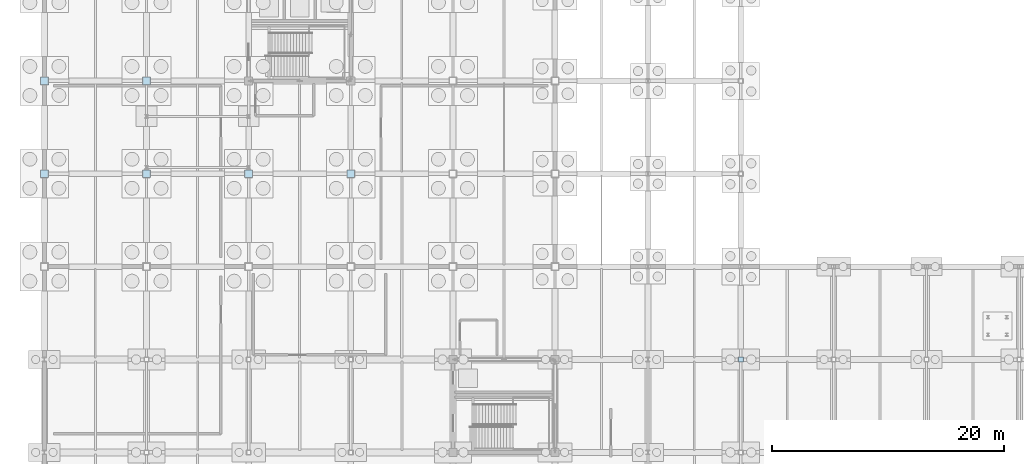
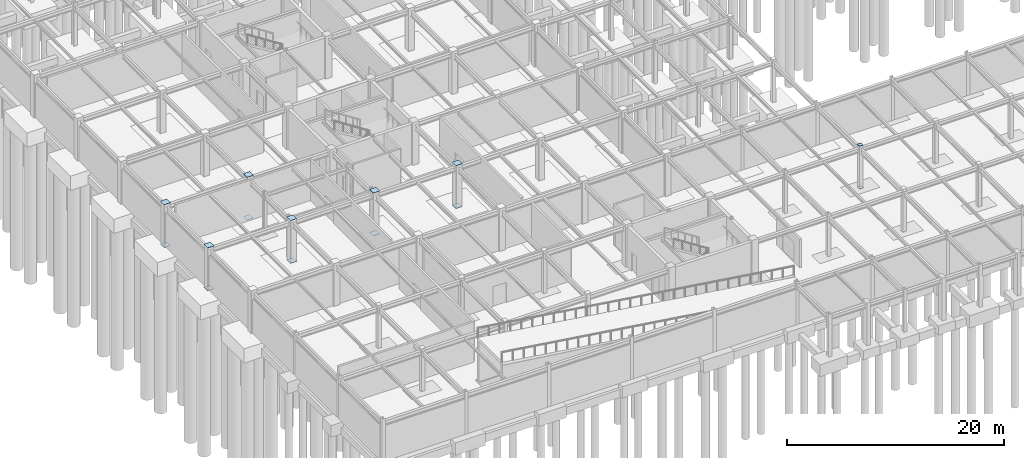
# One storey, part 45 of 72: 15 plates.
"""IFC4 building model written with IfcOpenShell, lengths in metres."""

from ifc_helpers import new_model, si_unit, direction, frame, origin, origin_2d, place, context, subcontext, project, spatial, rectangle, extrude, material, layer, layer_set, type_object, element, save


model = new_model("IFC4")

# Units and contexts
model_context = context("Model", 3, precision=1e-05, world=origin(), true_north=direction((0.0, 1.0)))
body_context = subcontext(model_context, "Body", "Model", "MODEL_VIEW")
ifc_project = project(units=[si_unit("LENGTHUNIT", "METRE"), si_unit("AREAUNIT", "SQUARE_METRE"), si_unit("VOLUMEUNIT", "CUBIC_METRE"), si_unit("PLANEANGLEUNIT", "RADIAN"), si_unit("MASSUNIT", "GRAM", prefix="KILO")], contexts=[model_context])

# Site, building, storey
site_placement = place(None, origin())
site = spatial("IfcSite", under=ifc_project, at=site_placement, CompositionType="ELEMENT")
building_placement = place(site_placement, origin())
building = spatial("IfcBuilding", under=site, at=building_placement, Name="Zhaolan Boulevard Law Courts", CompositionType="ELEMENT")
storey_placement = place(building_placement, frame((0.0, 0.0, -4.800048828125)))
storey = spatial("IfcBuildingStorey", under=building, at=storey_placement, Name="B1", CompositionType="ELEMENT", Elevation=-4.800048828125)

# Plates
ifc_material = material(Name="Structural steel Q355B", Category="steel")
ifc_layer = layer(ifc_material, 0.02001953125)
ifc_layer_set = layer_set([ifc_layer])
plate_type = type_object("IfcPlateType", Name="END CAP PLATE 20", PredefinedType="SHEET", material=ifc_layer_set)
plate_placement = place(storey_placement, frame((60.0, 22.0, 4.780029296875), z_axis=(0.0, 0.0, 1.0), x_axis=(1.0, 0.0, 0.0)))
element("IfcPlate", 1, at=plate_placement, inside=storey, type_object=plate_type, Name="Hollow Column Top End-Cap Plate ECP-8D", PredefinedType="SHEET", context=body_context, shape_type="SweptSolid", body=[
    extrude(rectangle(XDim=0.39990234375, YDim=0.39990234375, at=origin_2d()), origin(), (0.0, 0.0, 1.0), 0.02001953125),
])
for number, where, z_axis, x_axis, name in (
    (2, (0.0, 38.0, -0.01806640625), (0.0, 0.0, 1.0), (1.0, 0.0, 0.0), "Hollow Section End-Cap Plate ECP-0021"),
    (3, (0.0, 38.0, 4.798095703125), (0.0, 0.0, 1.0), (1.0, 0.0, 0.0), "Hollow Section End-Cap Plate ECP-0022"),
    (4, (0.0, 46.0, -0.01806640625), (0.0, 0.0, 1.0), (1.0, 0.0, 0.0), "Hollow Section End-Cap Plate ECP-0043"),
    (5, (0.0, 46.0, 4.798095703125), (0.0, 0.0, 1.0), (1.0, 0.0, 0.0), "Hollow Section End-Cap Plate ECP-0044"),
    (6, (8.800048828125, 38.0, -0.01806640625), (0.0, 0.0, 1.0), (1.0, 0.0, 0.0), "Hollow Section End-Cap Plate ECP-0155"),
    (7, (8.800048828125, 38.0, 4.798095703125), (0.0, 0.0, 1.0), (1.0, 0.0, 0.0), "Hollow Section End-Cap Plate ECP-0156"),
    (8, (8.800048828125, 46.0, -0.01806640625), (0.0, 0.0, 1.0), (1.0, 0.0, 0.0), "Hollow Section End-Cap Plate ECP-0177"),
    (9, (8.800048828125, 46.0, 4.798095703125), (0.0, 0.0, 1.0), (1.0, 0.0, 0.0), "Hollow Section End-Cap Plate ECP-0178"),
    (10, (17.60009765625, 38.0, -0.01806640625), (0.0, 0.0, 1.0), (1.0, 0.0, 0.0), "Hollow Section End-Cap Plate ECP-0289"),
    (11, (17.60009765625, 38.0, 4.798095703125), (0.0, 0.0, 1.0), (1.0, 0.0, 0.0), "Hollow Section End-Cap Plate ECP-0290"),
    (12, (26.39990234375, 38.0, -0.01806640625), (0.0, 0.0, 1.0), (1.0, 0.0, 0.0), "Hollow Section End-Cap Plate ECP-0335"),
    (13, (26.39990234375, 38.0, 4.798095703125), (0.0, 0.0, 1.0), (1.0, 0.0, 0.0), "Hollow Section End-Cap Plate ECP-0336"),
):
    element("IfcPlate", number, at=place(storey_placement, frame(where, z_axis=z_axis, x_axis=x_axis)), inside=storey, type_object=plate_type, Name=name, PredefinedType="SHEET", context=body_context, shape_type="SweptSolid", body=[
        extrude(rectangle(XDim=0.679931640625, YDim=0.679931640625, at=origin_2d()), origin(), (0.0, 0.0, 1.0), 0.02001953125),
    ])
for number, where, z_axis, x_axis, name in (
    (14, (60.0, 22.0, -0.01806640625), (0.0, 0.0, 1.0), (1.0, 0.0, 0.0), "Hollow Section End-Cap Plate ECP-0597"),
    (15, (60.0, 22.0, 4.798095703125), (0.0, 0.0, 1.0), (1.0, 0.0, 0.0), "Hollow Section End-Cap Plate ECP-0598"),
):
    element("IfcPlate", number, at=place(storey_placement, frame(where, z_axis=z_axis, x_axis=x_axis)), inside=storey, type_object=plate_type, Name=name, PredefinedType="SHEET", context=body_context, shape_type="SweptSolid", body=[
        extrude(rectangle(XDim=0.429931640625, YDim=0.429931640625, at=origin_2d()), origin(), (0.0, 0.0, 1.0), 0.02001953125),
    ])

save(model, "model.ifc")
